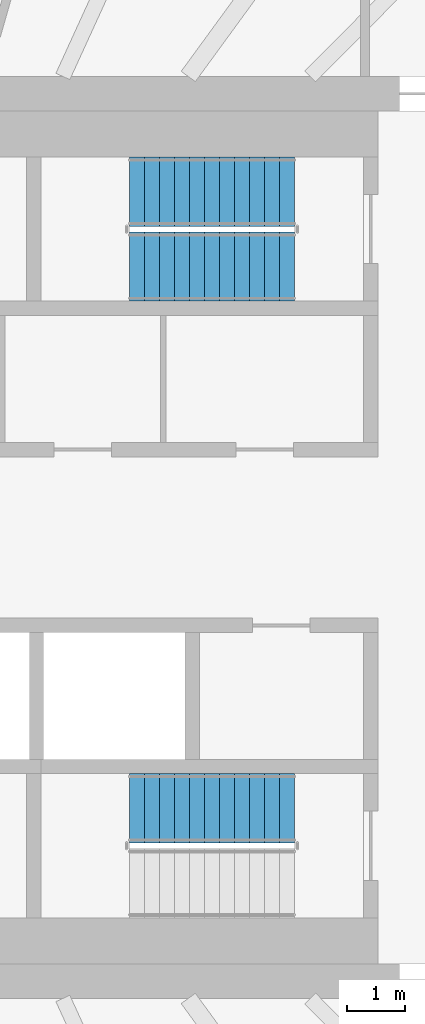
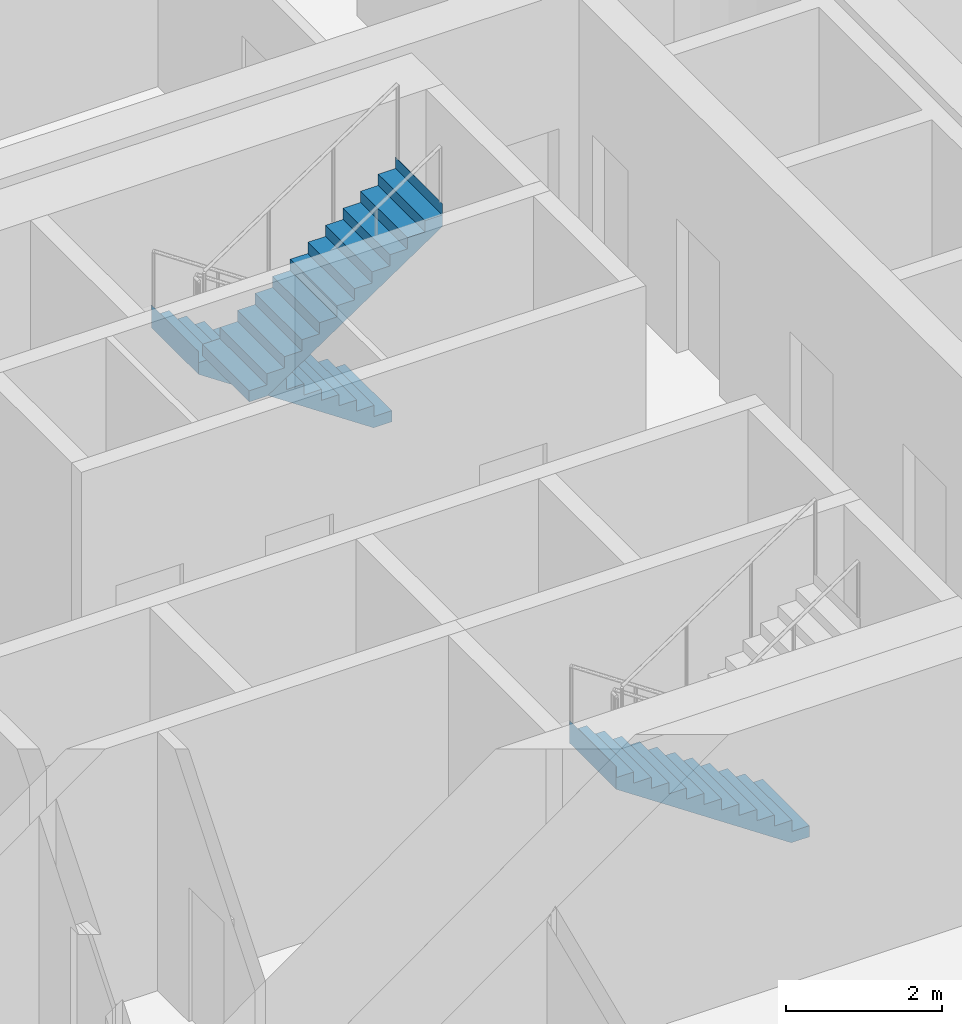
# One storey, part 16 of 22: 3 stair flights, 2 elements without a shape of their own.
"""IFC4 building model written with IfcOpenShell, lengths in metres."""

from ifc_helpers import new_model, si_unit, direction, frame, origin, place, context, subcontext, project, spatial, triangles, material, type_object, element, aggregate, save


model = new_model("IFC4")

# Units and contexts
model_context = context("Model", 3, precision=1e-05, world=origin(), true_north=direction((0.0, 1.0)))
body_context = subcontext(model_context, "Body", "Model", "MODEL_VIEW")
ifc_project = project(units=[si_unit("LENGTHUNIT", "METRE"), si_unit("AREAUNIT", "SQUARE_METRE"), si_unit("VOLUMEUNIT", "CUBIC_METRE"), si_unit("PLANEANGLEUNIT", "RADIAN"), si_unit("MASSUNIT", "GRAM", prefix="KILO")], contexts=[model_context])

# Site, building, storey
site_placement = place(None, origin())
site = spatial("IfcSite", under=ifc_project, at=site_placement, CompositionType="ELEMENT")
building_placement = place(site_placement, origin())
building = spatial("IfcBuilding", under=site, at=building_placement, Name="Sahrelin Media Tower", CompositionType="ELEMENT")
storey_placement = place(building_placement, frame((0.0, 0.0, 50.39990234375)))
storey = spatial("IfcBuildingStorey", under=building, at=storey_placement, Name="L07", CompositionType="ELEMENT", Elevation=50.39990234375)

# Stair, stair flights
ifc_material = material(Name="Concrete C40/50", Category="concrete")
stair_type = type_object("IfcStairType", Name="Exit stair 1200", PredefinedType="HALF_TURN_STAIR", material=ifc_material)
placement = place(storey_placement, origin())
stair_1 = element("IfcStair", 1, at=placement, inside=storey, type_object=stair_type, Name="L07 Exit stair ST3", PredefinedType="HALF_TURN_STAIR")
stair_flight_type = type_object("IfcStairFlightType", Name="Stair flight 1200", PredefinedType="STRAIGHT", material=ifc_material)
stair_flight_1_placement = place(storey_placement, frame((7.675048828125, 6.0, 0.0), z_axis=(0.0, 0.0, 1.0), x_axis=(-1.0, 0.0, 0.0)))
stair_flight_1 = element("IfcStairFlight", 2, at=stair_flight_1_placement, type_object=stair_flight_type, Name="ST3 flight 1", NumberOfRisers=12, NumberOfTreads=11, PredefinedType="STRAIGHT", RiserHeight=0.175, TreadLength=0.26, context=body_context, shape_type="Tessellation", body=[
    triangles([(0.2685546875, 0.60009765625, 0.0), (0.2685546875, 0.300048828125, 0.0), (0.2685546875, 0.0, 0.0), (0.2685546875, -0.300048828125, 0.0), (0.2685546875, -0.60009765625, 0.0), (2.860107421875, 0.60009765625, 1.744384765625), (2.860107421875, 0.300048828125, 1.744384765625), (2.860107421875, 0.0, 1.744384765625), (2.860107421875, -0.300048828125, 1.744384765625), (2.860107421875, -0.60009765625, 1.744384765625), (2.860107421875, 0.60009765625, 2.10009765625), (2.860107421875, 0.300048828125, 2.10009765625), (2.860107421875, 0.0, 2.10009765625), (2.860107421875, -0.300048828125, 2.10009765625), (2.860107421875, -0.60009765625, 2.10009765625), (2.85791015625, 0.60009765625, 2.10009765625), (2.85791015625, 0.300048828125, 2.10009765625), (2.85791015625, 0.0, 2.10009765625), (2.85791015625, -0.300048828125, 2.10009765625), (2.85791015625, -0.60009765625, 2.10009765625), (2.85791015625, 0.60009765625, 1.925048828125), (2.85791015625, 0.300048828125, 1.925048828125), (2.85791015625, 0.0, 1.925048828125), (2.85791015625, -0.300048828125, 1.925048828125), (2.85791015625, -0.60009765625, 1.925048828125), (2.60009765625, 0.60009765625, 1.925048828125), (2.60009765625, 0.300048828125, 1.925048828125), (2.60009765625, 0.0, 1.925048828125), (2.60009765625, -0.300048828125, 1.925048828125), (2.60009765625, -0.60009765625, 1.925048828125), (2.60009765625, 0.60009765625, 1.75), (2.60009765625, 0.300048828125, 1.75), (2.60009765625, 0.0, 1.75), (2.60009765625, -0.300048828125, 1.75), (2.60009765625, -0.60009765625, 1.75), (2.340087890625, 0.60009765625, 1.75), (2.340087890625, 0.300048828125, 1.75), (2.340087890625, 0.0, 1.75), (2.340087890625, -0.300048828125, 1.75), (2.340087890625, -0.60009765625, 1.75), (2.340087890625, 0.60009765625, 1.574951171875), (2.340087890625, 0.300048828125, 1.574951171875), (2.340087890625, 0.0, 1.574951171875), (2.340087890625, -0.300048828125, 1.574951171875), (2.340087890625, -0.60009765625, 1.574951171875), (2.080078125, 0.60009765625, 1.574951171875), (2.080078125, 0.300048828125, 1.574951171875), (2.080078125, 0.0, 1.574951171875), (2.080078125, -0.300048828125, 1.574951171875), (2.080078125, -0.60009765625, 1.574951171875), (2.080078125, 0.60009765625, 1.39990234375), (2.080078125, 0.300048828125, 1.39990234375), (2.080078125, 0.0, 1.39990234375), (2.080078125, -0.300048828125, 1.39990234375), (2.080078125, -0.60009765625, 1.39990234375), (1.820068359375, 0.60009765625, 1.39990234375), (1.820068359375, 0.300048828125, 1.39990234375), (1.820068359375, 0.0, 1.39990234375), (1.820068359375, -0.300048828125, 1.39990234375), (1.820068359375, -0.60009765625, 1.39990234375), (1.820068359375, 0.60009765625, 1.22509765625), (1.820068359375, 0.300048828125, 1.22509765625), (1.820068359375, 0.0, 1.22509765625), (1.820068359375, -0.300048828125, 1.22509765625), (1.820068359375, -0.60009765625, 1.22509765625), (1.56005859375, 0.60009765625, 1.22509765625), (1.56005859375, 0.300048828125, 1.22509765625), (1.56005859375, 0.0, 1.22509765625), (1.56005859375, -0.300048828125, 1.22509765625), (1.56005859375, -0.60009765625, 1.22509765625), (1.56005859375, 0.60009765625, 1.050048828125), (1.56005859375, 0.300048828125, 1.050048828125), (1.56005859375, 0.0, 1.050048828125), (1.56005859375, -0.300048828125, 1.050048828125), (1.56005859375, -0.60009765625, 1.050048828125), (1.300048828125, 0.60009765625, 1.050048828125), (1.300048828125, 0.300048828125, 1.050048828125), (1.300048828125, 0.0, 1.050048828125), (1.300048828125, -0.300048828125, 1.050048828125), (1.300048828125, -0.60009765625, 1.050048828125), (1.300048828125, 0.60009765625, 0.875), (1.300048828125, 0.300048828125, 0.875), (1.300048828125, 0.0, 0.875), (1.300048828125, -0.300048828125, 0.875), (1.300048828125, -0.60009765625, 0.875), (1.0400390625, 0.60009765625, 0.875), (1.0400390625, 0.300048828125, 0.875), (1.0400390625, 0.0, 0.875), (1.0400390625, -0.300048828125, 0.875), (1.0400390625, -0.60009765625, 0.875), (1.0400390625, 0.60009765625, 0.699951171875), (1.0400390625, 0.300048828125, 0.699951171875), (1.0400390625, 0.0, 0.699951171875), (1.0400390625, -0.300048828125, 0.699951171875), (1.0400390625, -0.60009765625, 0.699951171875), (0.780029296875, 0.60009765625, 0.699951171875), (0.780029296875, 0.300048828125, 0.699951171875), (0.780029296875, 0.0, 0.699951171875), (0.780029296875, -0.300048828125, 0.699951171875), (0.780029296875, -0.60009765625, 0.699951171875), (0.780029296875, 0.60009765625, 0.52490234375), (0.780029296875, 0.300048828125, 0.52490234375), (0.780029296875, 0.0, 0.52490234375), (0.780029296875, -0.300048828125, 0.52490234375), (0.780029296875, -0.60009765625, 0.52490234375), (0.52001953125, 0.60009765625, 0.52490234375), (0.52001953125, 0.300048828125, 0.52490234375), (0.52001953125, 0.0, 0.52490234375), (0.52001953125, -0.300048828125, 0.52490234375), (0.52001953125, -0.60009765625, 0.52490234375), (0.52001953125, 0.60009765625, 0.35009765625), (0.52001953125, 0.300048828125, 0.35009765625), (0.52001953125, 0.0, 0.35009765625), (0.52001953125, -0.300048828125, 0.35009765625), (0.52001953125, -0.60009765625, 0.35009765625), (0.260009765625, 0.60009765625, 0.35009765625), (0.260009765625, 0.300048828125, 0.35009765625), (0.260009765625, 0.0, 0.35009765625), (0.260009765625, -0.300048828125, 0.35009765625), (0.260009765625, -0.60009765625, 0.35009765625), (0.260009765625, 0.60009765625, 0.175048828125), (0.260009765625, 0.300048828125, 0.175048828125), (0.260009765625, 0.0, 0.175048828125), (0.260009765625, -0.300048828125, 0.175048828125), (0.260009765625, -0.60009765625, 0.175048828125), (0.0, 0.60009765625, 0.175048828125), (0.0, 0.300048828125, 0.175048828125), (0.0, 0.0, 0.175048828125), (0.0, -0.300048828125, 0.175048828125), (0.0, -0.60009765625, 0.175048828125), (0.0, 0.60009765625, 0.0), (0.0, 0.300048828125, 0.0), (0.0, 0.0, 0.0), (0.0, -0.300048828125, 0.0), (0.0, -0.60009765625, 0.0)], [[1, 6, 7], [1, 7, 2], [2, 7, 8], [2, 8, 3], [3, 8, 9], [3, 9, 4], [4, 9, 10], [4, 10, 5], [6, 11, 12], [6, 12, 7], [7, 12, 13], [7, 13, 8], [8, 13, 14], [8, 14, 9], [9, 14, 15], [9, 15, 10], [11, 16, 17], [11, 17, 12], [12, 17, 18], [12, 18, 13], [13, 18, 19], [13, 19, 14], [14, 19, 20], [14, 20, 15], [16, 21, 22], [16, 22, 17], [17, 22, 23], [17, 23, 18], [18, 23, 24], [18, 24, 19], [19, 24, 25], [19, 25, 20], [21, 26, 27], [21, 27, 22], [22, 27, 28], [22, 28, 23], [23, 28, 29], [23, 29, 24], [24, 29, 30], [24, 30, 25], [26, 31, 32], [26, 32, 27], [27, 32, 33], [27, 33, 28], [28, 33, 34], [28, 34, 29], [29, 34, 35], [29, 35, 30], [31, 36, 37], [31, 37, 32], [32, 37, 38], [32, 38, 33], [33, 38, 39], [33, 39, 34], [34, 39, 40], [34, 40, 35], [36, 41, 42], [36, 42, 37], [37, 42, 43], [37, 43, 38], [38, 43, 44], [38, 44, 39], [39, 44, 45], [39, 45, 40], [41, 46, 47], [41, 47, 42], [42, 47, 48], [42, 48, 43], [43, 48, 49], [43, 49, 44], [44, 49, 50], [44, 50, 45], [46, 51, 52], [46, 52, 47], [47, 52, 53], [47, 53, 48], [48, 53, 54], [48, 54, 49], [49, 54, 55], [49, 55, 50], [51, 56, 57], [51, 57, 52], [52, 57, 58], [52, 58, 53], [53, 58, 59], [53, 59, 54], [54, 59, 60], [54, 60, 55], [56, 61, 62], [56, 62, 57], [57, 62, 63], [57, 63, 58], [58, 63, 64], [58, 64, 59], [59, 64, 65], [59, 65, 60], [61, 66, 67], [61, 67, 62], [62, 67, 68], [62, 68, 63], [63, 68, 69], [63, 69, 64], [64, 69, 70], [64, 70, 65], [66, 71, 72], [66, 72, 67], [67, 72, 73], [67, 73, 68], [68, 73, 74], [68, 74, 69], [69, 74, 75], [69, 75, 70], [71, 76, 77], [71, 77, 72], [72, 77, 78], [72, 78, 73], [73, 78, 79], [73, 79, 74], [74, 79, 80], [74, 80, 75], [76, 81, 82], [76, 82, 77], [77, 82, 83], [77, 83, 78], [78, 83, 84], [78, 84, 79], [79, 84, 85], [79, 85, 80], [81, 86, 87], [81, 87, 82], [82, 87, 88], [82, 88, 83], [83, 88, 89], [83, 89, 84], [84, 89, 90], [84, 90, 85], [86, 91, 92], [86, 92, 87], [87, 92, 93], [87, 93, 88], [88, 93, 94], [88, 94, 89], [89, 94, 95], [89, 95, 90], [91, 96, 97], [91, 97, 92], [92, 97, 98], [92, 98, 93], [93, 98, 99], [93, 99, 94], [94, 99, 100], [94, 100, 95], [96, 101, 102], [96, 102, 97], [97, 102, 103], [97, 103, 98], [98, 103, 104], [98, 104, 99], [99, 104, 105], [99, 105, 100], [101, 106, 107], [101, 107, 102], [102, 107, 108], [102, 108, 103], [103, 108, 109], [103, 109, 104], [104, 109, 110], [104, 110, 105], [106, 111, 112], [106, 112, 107], [107, 112, 113], [107, 113, 108], [108, 113, 114], [108, 114, 109], [109, 114, 115], [109, 115, 110], [111, 116, 117], [111, 117, 112], [112, 117, 118], [112, 118, 113], [113, 118, 119], [113, 119, 114], [114, 119, 120], [114, 120, 115], [116, 121, 122], [116, 122, 117], [117, 122, 123], [117, 123, 118], [118, 123, 124], [118, 124, 119], [119, 124, 125], [119, 125, 120], [121, 126, 127], [121, 127, 122], [122, 127, 128], [122, 128, 123], [123, 128, 129], [123, 129, 124], [124, 129, 130], [124, 130, 125], [126, 131, 132], [126, 132, 127], [127, 132, 133], [127, 133, 128], [128, 133, 134], [128, 134, 129], [129, 134, 135], [129, 135, 130], [131, 1, 2], [131, 2, 132], [132, 2, 3], [132, 3, 133], [133, 3, 4], [133, 4, 134], [134, 4, 5], [134, 5, 135], [125, 130, 135], [121, 131, 126], [125, 115, 120], [121, 116, 111], [115, 105, 110], [111, 106, 101], [105, 95, 100], [101, 96, 91], [95, 85, 90], [91, 86, 81], [85, 75, 80], [81, 76, 71], [75, 65, 70], [71, 66, 61], [65, 55, 60], [61, 56, 51], [55, 45, 50], [51, 46, 41], [45, 35, 40], [41, 36, 31], [35, 25, 30], [31, 26, 21], [25, 15, 20], [21, 16, 11], [135, 5, 125], [131, 121, 1], [95, 105, 5], [91, 1, 101], [5, 10, 75], [1, 71, 6], [10, 35, 45], [6, 41, 31], [25, 10, 15], [21, 11, 6], [115, 125, 5], [111, 1, 121], [75, 85, 5], [71, 1, 81], [35, 10, 25], [31, 21, 6], [105, 115, 5], [101, 1, 111], [45, 55, 10], [41, 6, 51], [85, 95, 5], [81, 1, 91], [65, 10, 55], [61, 51, 6], [10, 65, 75], [6, 71, 61]], closed=True),
])
stair_flight_2_placement = place(storey_placement, frame((4.81494140625, 4.699951171875, 2.10009765625), z_axis=(0.0, 0.0, 1.0), x_axis=(1.0, 0.0, 0.0)))
stair_flight_2 = element("IfcStairFlight", 3, at=stair_flight_2_placement, type_object=stair_flight_type, Name="ST3 flight 2", NumberOfRisers=12, NumberOfTreads=11, PredefinedType="STRAIGHT", RiserHeight=0.175, TreadLength=0.26, context=body_context, shape_type="Tessellation", body=[
    triangles([(0.2685546875, 0.60009765625, 0.0), (0.2685546875, 0.300048828125, 0.0), (0.2685546875, 0.0, 0.0), (0.2685546875, -0.300048828125, 0.0), (0.2685546875, -0.60009765625, 0.0), (2.860107421875, 0.60009765625, 1.744384765625), (2.860107421875, 0.300048828125, 1.744384765625), (2.860107421875, 0.0, 1.744384765625), (2.860107421875, -0.300048828125, 1.744384765625), (2.860107421875, -0.60009765625, 1.744384765625), (2.860107421875, 0.60009765625, 2.10009765625), (2.860107421875, 0.300048828125, 2.10009765625), (2.860107421875, 0.0, 2.10009765625), (2.860107421875, -0.300048828125, 2.10009765625), (2.860107421875, -0.60009765625, 2.10009765625), (2.85791015625, 0.60009765625, 2.10009765625), (2.85791015625, 0.300048828125, 2.10009765625), (2.85791015625, 0.0, 2.10009765625), (2.85791015625, -0.300048828125, 2.10009765625), (2.85791015625, -0.60009765625, 2.10009765625), (2.85791015625, 0.60009765625, 1.925048828125), (2.85791015625, 0.300048828125, 1.925048828125), (2.85791015625, 0.0, 1.925048828125), (2.85791015625, -0.300048828125, 1.925048828125), (2.85791015625, -0.60009765625, 1.925048828125), (2.60009765625, 0.60009765625, 1.925048828125), (2.60009765625, 0.300048828125, 1.925048828125), (2.60009765625, 0.0, 1.925048828125), (2.60009765625, -0.300048828125, 1.925048828125), (2.60009765625, -0.60009765625, 1.925048828125), (2.60009765625, 0.60009765625, 1.75), (2.60009765625, 0.300048828125, 1.75), (2.60009765625, 0.0, 1.75), (2.60009765625, -0.300048828125, 1.75), (2.60009765625, -0.60009765625, 1.75), (2.340087890625, 0.60009765625, 1.75), (2.340087890625, 0.300048828125, 1.75), (2.340087890625, 0.0, 1.75), (2.340087890625, -0.300048828125, 1.75), (2.340087890625, -0.60009765625, 1.75), (2.340087890625, 0.60009765625, 1.574951171875), (2.340087890625, 0.300048828125, 1.574951171875), (2.340087890625, 0.0, 1.574951171875), (2.340087890625, -0.300048828125, 1.574951171875), (2.340087890625, -0.60009765625, 1.574951171875), (2.080078125, 0.60009765625, 1.574951171875), (2.080078125, 0.300048828125, 1.574951171875), (2.080078125, 0.0, 1.574951171875), (2.080078125, -0.300048828125, 1.574951171875), (2.080078125, -0.60009765625, 1.574951171875), (2.080078125, 0.60009765625, 1.39990234375), (2.080078125, 0.300048828125, 1.39990234375), (2.080078125, 0.0, 1.39990234375), (2.080078125, -0.300048828125, 1.39990234375), (2.080078125, -0.60009765625, 1.39990234375), (1.820068359375, 0.60009765625, 1.39990234375), (1.820068359375, 0.300048828125, 1.39990234375), (1.820068359375, 0.0, 1.39990234375), (1.820068359375, -0.300048828125, 1.39990234375), (1.820068359375, -0.60009765625, 1.39990234375), (1.820068359375, 0.60009765625, 1.22509765625), (1.820068359375, 0.300048828125, 1.22509765625), (1.820068359375, 0.0, 1.22509765625), (1.820068359375, -0.300048828125, 1.22509765625), (1.820068359375, -0.60009765625, 1.22509765625), (1.56005859375, 0.60009765625, 1.22509765625), (1.56005859375, 0.300048828125, 1.22509765625), (1.56005859375, 0.0, 1.22509765625), (1.56005859375, -0.300048828125, 1.22509765625), (1.56005859375, -0.60009765625, 1.22509765625), (1.56005859375, 0.60009765625, 1.050048828125), (1.56005859375, 0.300048828125, 1.050048828125), (1.56005859375, 0.0, 1.050048828125), (1.56005859375, -0.300048828125, 1.050048828125), (1.56005859375, -0.60009765625, 1.050048828125), (1.300048828125, 0.60009765625, 1.050048828125), (1.300048828125, 0.300048828125, 1.050048828125), (1.300048828125, 0.0, 1.050048828125), (1.300048828125, -0.300048828125, 1.050048828125), (1.300048828125, -0.60009765625, 1.050048828125), (1.300048828125, 0.60009765625, 0.875), (1.300048828125, 0.300048828125, 0.875), (1.300048828125, 0.0, 0.875), (1.300048828125, -0.300048828125, 0.875), (1.300048828125, -0.60009765625, 0.875), (1.0400390625, 0.60009765625, 0.875), (1.0400390625, 0.300048828125, 0.875), (1.0400390625, 0.0, 0.875), (1.0400390625, -0.300048828125, 0.875), (1.0400390625, -0.60009765625, 0.875), (1.0400390625, 0.60009765625, 0.699951171875), (1.0400390625, 0.300048828125, 0.699951171875), (1.0400390625, 0.0, 0.699951171875), (1.0400390625, -0.300048828125, 0.699951171875), (1.0400390625, -0.60009765625, 0.699951171875), (0.780029296875, 0.60009765625, 0.699951171875), (0.780029296875, 0.300048828125, 0.699951171875), (0.780029296875, 0.0, 0.699951171875), (0.780029296875, -0.300048828125, 0.699951171875), (0.780029296875, -0.60009765625, 0.699951171875), (0.780029296875, 0.60009765625, 0.52490234375), (0.780029296875, 0.300048828125, 0.52490234375), (0.780029296875, 0.0, 0.52490234375), (0.780029296875, -0.300048828125, 0.52490234375), (0.780029296875, -0.60009765625, 0.52490234375), (0.52001953125, 0.60009765625, 0.52490234375), (0.52001953125, 0.300048828125, 0.52490234375), (0.52001953125, 0.0, 0.52490234375), (0.52001953125, -0.300048828125, 0.52490234375), (0.52001953125, -0.60009765625, 0.52490234375), (0.52001953125, 0.60009765625, 0.35009765625), (0.52001953125, 0.300048828125, 0.35009765625), (0.52001953125, 0.0, 0.35009765625), (0.52001953125, -0.300048828125, 0.35009765625), (0.52001953125, -0.60009765625, 0.35009765625), (0.260009765625, 0.60009765625, 0.35009765625), (0.260009765625, 0.300048828125, 0.35009765625), (0.260009765625, 0.0, 0.35009765625), (0.260009765625, -0.300048828125, 0.35009765625), (0.260009765625, -0.60009765625, 0.35009765625), (0.260009765625, 0.60009765625, 0.175048828125), (0.260009765625, 0.300048828125, 0.175048828125), (0.260009765625, 0.0, 0.175048828125), (0.260009765625, -0.300048828125, 0.175048828125), (0.260009765625, -0.60009765625, 0.175048828125), (0.0, 0.60009765625, 0.175048828125), (0.0, 0.300048828125, 0.175048828125), (0.0, 0.0, 0.175048828125), (0.0, -0.300048828125, 0.175048828125), (0.0, -0.60009765625, 0.175048828125), (0.0, 0.60009765625, 0.0), (0.0, 0.300048828125, 0.0), (0.0, 0.0, 0.0), (0.0, -0.300048828125, 0.0), (0.0, -0.60009765625, 0.0)], [[1, 6, 7], [1, 7, 2], [2, 7, 8], [2, 8, 3], [3, 8, 9], [3, 9, 4], [4, 9, 10], [4, 10, 5], [6, 11, 12], [6, 12, 7], [7, 12, 13], [7, 13, 8], [8, 13, 14], [8, 14, 9], [9, 14, 15], [9, 15, 10], [11, 16, 17], [11, 17, 12], [12, 17, 18], [12, 18, 13], [13, 18, 19], [13, 19, 14], [14, 19, 20], [14, 20, 15], [16, 21, 22], [16, 22, 17], [17, 22, 23], [17, 23, 18], [18, 23, 24], [18, 24, 19], [19, 24, 25], [19, 25, 20], [21, 26, 27], [21, 27, 22], [22, 27, 28], [22, 28, 23], [23, 28, 29], [23, 29, 24], [24, 29, 30], [24, 30, 25], [26, 31, 32], [26, 32, 27], [27, 32, 33], [27, 33, 28], [28, 33, 34], [28, 34, 29], [29, 34, 35], [29, 35, 30], [31, 36, 37], [31, 37, 32], [32, 37, 38], [32, 38, 33], [33, 38, 39], [33, 39, 34], [34, 39, 40], [34, 40, 35], [36, 41, 42], [36, 42, 37], [37, 42, 43], [37, 43, 38], [38, 43, 44], [38, 44, 39], [39, 44, 45], [39, 45, 40], [41, 46, 47], [41, 47, 42], [42, 47, 48], [42, 48, 43], [43, 48, 49], [43, 49, 44], [44, 49, 50], [44, 50, 45], [46, 51, 52], [46, 52, 47], [47, 52, 53], [47, 53, 48], [48, 53, 54], [48, 54, 49], [49, 54, 55], [49, 55, 50], [51, 56, 57], [51, 57, 52], [52, 57, 58], [52, 58, 53], [53, 58, 59], [53, 59, 54], [54, 59, 60], [54, 60, 55], [56, 61, 62], [56, 62, 57], [57, 62, 63], [57, 63, 58], [58, 63, 64], [58, 64, 59], [59, 64, 65], [59, 65, 60], [61, 66, 67], [61, 67, 62], [62, 67, 68], [62, 68, 63], [63, 68, 69], [63, 69, 64], [64, 69, 70], [64, 70, 65], [66, 71, 72], [66, 72, 67], [67, 72, 73], [67, 73, 68], [68, 73, 74], [68, 74, 69], [69, 74, 75], [69, 75, 70], [71, 76, 77], [71, 77, 72], [72, 77, 78], [72, 78, 73], [73, 78, 79], [73, 79, 74], [74, 79, 80], [74, 80, 75], [76, 81, 82], [76, 82, 77], [77, 82, 83], [77, 83, 78], [78, 83, 84], [78, 84, 79], [79, 84, 85], [79, 85, 80], [81, 86, 87], [81, 87, 82], [82, 87, 88], [82, 88, 83], [83, 88, 89], [83, 89, 84], [84, 89, 90], [84, 90, 85], [86, 91, 92], [86, 92, 87], [87, 92, 93], [87, 93, 88], [88, 93, 94], [88, 94, 89], [89, 94, 95], [89, 95, 90], [91, 96, 97], [91, 97, 92], [92, 97, 98], [92, 98, 93], [93, 98, 99], [93, 99, 94], [94, 99, 100], [94, 100, 95], [96, 101, 102], [96, 102, 97], [97, 102, 103], [97, 103, 98], [98, 103, 104], [98, 104, 99], [99, 104, 105], [99, 105, 100], [101, 106, 107], [101, 107, 102], [102, 107, 108], [102, 108, 103], [103, 108, 109], [103, 109, 104], [104, 109, 110], [104, 110, 105], [106, 111, 112], [106, 112, 107], [107, 112, 113], [107, 113, 108], [108, 113, 114], [108, 114, 109], [109, 114, 115], [109, 115, 110], [111, 116, 117], [111, 117, 112], [112, 117, 118], [112, 118, 113], [113, 118, 119], [113, 119, 114], [114, 119, 120], [114, 120, 115], [116, 121, 122], [116, 122, 117], [117, 122, 123], [117, 123, 118], [118, 123, 124], [118, 124, 119], [119, 124, 125], [119, 125, 120], [121, 126, 127], [121, 127, 122], [122, 127, 128], [122, 128, 123], [123, 128, 129], [123, 129, 124], [124, 129, 130], [124, 130, 125], [126, 131, 132], [126, 132, 127], [127, 132, 133], [127, 133, 128], [128, 133, 134], [128, 134, 129], [129, 134, 135], [129, 135, 130], [131, 1, 2], [131, 2, 132], [132, 2, 3], [132, 3, 133], [133, 3, 4], [133, 4, 134], [134, 4, 5], [134, 5, 135], [125, 130, 135], [121, 131, 126], [125, 115, 120], [121, 116, 111], [115, 105, 110], [111, 106, 101], [105, 95, 100], [101, 96, 91], [95, 85, 90], [91, 86, 81], [85, 75, 80], [81, 76, 71], [75, 65, 70], [71, 66, 61], [65, 55, 60], [61, 56, 51], [55, 45, 50], [51, 46, 41], [45, 35, 40], [41, 36, 31], [35, 25, 30], [31, 26, 21], [25, 15, 20], [21, 16, 11], [135, 5, 125], [131, 121, 1], [95, 105, 5], [91, 1, 101], [5, 10, 75], [1, 71, 6], [10, 35, 45], [6, 41, 31], [25, 10, 15], [21, 11, 6], [115, 125, 5], [111, 1, 121], [75, 85, 5], [71, 1, 81], [35, 10, 25], [31, 21, 6], [105, 115, 5], [101, 1, 111], [45, 55, 10], [41, 6, 51], [85, 95, 5], [81, 1, 91], [65, 10, 55], [61, 51, 6], [10, 65, 75], [6, 71, 61]], closed=True),
])
aggregate(stair_1, [stair_flight_1, stair_flight_2])

# Stair, stair flight
stair_2 = element("IfcStair", 4, at=placement, inside=storey, type_object=stair_type, Name="L07 Exit stair ST2", PredefinedType="HALF_TURN_STAIR")
stair_flight_3_placement = place(storey_placement, frame((7.675048828125, -4.699951171875, 0.0), z_axis=(0.0, 0.0, 1.0), x_axis=(-1.0, 0.0, 0.0)))
stair_flight_3 = element("IfcStairFlight", 5, at=stair_flight_3_placement, type_object=stair_flight_type, Name="ST2 flight 1", NumberOfRisers=12, NumberOfTreads=11, PredefinedType="STRAIGHT", RiserHeight=0.175, TreadLength=0.26, context=body_context, shape_type="Tessellation", body=[
    triangles([(0.2685546875, 0.60009765625, 0.0), (0.2685546875, 0.300048828125, 0.0), (0.2685546875, 0.0, 0.0), (0.2685546875, -0.300048828125, 0.0), (0.2685546875, -0.60009765625, 0.0), (2.860107421875, 0.60009765625, 1.744384765625), (2.860107421875, 0.300048828125, 1.744384765625), (2.860107421875, 0.0, 1.744384765625), (2.860107421875, -0.300048828125, 1.744384765625), (2.860107421875, -0.60009765625, 1.744384765625), (2.860107421875, 0.60009765625, 2.10009765625), (2.860107421875, 0.300048828125, 2.10009765625), (2.860107421875, 0.0, 2.10009765625), (2.860107421875, -0.300048828125, 2.10009765625), (2.860107421875, -0.60009765625, 2.10009765625), (2.85791015625, 0.60009765625, 2.10009765625), (2.85791015625, 0.300048828125, 2.10009765625), (2.85791015625, 0.0, 2.10009765625), (2.85791015625, -0.300048828125, 2.10009765625), (2.85791015625, -0.60009765625, 2.10009765625), (2.85791015625, 0.60009765625, 1.925048828125), (2.85791015625, 0.300048828125, 1.925048828125), (2.85791015625, 0.0, 1.925048828125), (2.85791015625, -0.300048828125, 1.925048828125), (2.85791015625, -0.60009765625, 1.925048828125), (2.60009765625, 0.60009765625, 1.925048828125), (2.60009765625, 0.300048828125, 1.925048828125), (2.60009765625, 0.0, 1.925048828125), (2.60009765625, -0.300048828125, 1.925048828125), (2.60009765625, -0.60009765625, 1.925048828125), (2.60009765625, 0.60009765625, 1.75), (2.60009765625, 0.300048828125, 1.75), (2.60009765625, 0.0, 1.75), (2.60009765625, -0.300048828125, 1.75), (2.60009765625, -0.60009765625, 1.75), (2.340087890625, 0.60009765625, 1.75), (2.340087890625, 0.300048828125, 1.75), (2.340087890625, 0.0, 1.75), (2.340087890625, -0.300048828125, 1.75), (2.340087890625, -0.60009765625, 1.75), (2.340087890625, 0.60009765625, 1.574951171875), (2.340087890625, 0.300048828125, 1.574951171875), (2.340087890625, 0.0, 1.574951171875), (2.340087890625, -0.300048828125, 1.574951171875), (2.340087890625, -0.60009765625, 1.574951171875), (2.080078125, 0.60009765625, 1.574951171875), (2.080078125, 0.300048828125, 1.574951171875), (2.080078125, 0.0, 1.574951171875), (2.080078125, -0.300048828125, 1.574951171875), (2.080078125, -0.60009765625, 1.574951171875), (2.080078125, 0.60009765625, 1.39990234375), (2.080078125, 0.300048828125, 1.39990234375), (2.080078125, 0.0, 1.39990234375), (2.080078125, -0.300048828125, 1.39990234375), (2.080078125, -0.60009765625, 1.39990234375), (1.820068359375, 0.60009765625, 1.39990234375), (1.820068359375, 0.300048828125, 1.39990234375), (1.820068359375, 0.0, 1.39990234375), (1.820068359375, -0.300048828125, 1.39990234375), (1.820068359375, -0.60009765625, 1.39990234375), (1.820068359375, 0.60009765625, 1.22509765625), (1.820068359375, 0.300048828125, 1.22509765625), (1.820068359375, 0.0, 1.22509765625), (1.820068359375, -0.300048828125, 1.22509765625), (1.820068359375, -0.60009765625, 1.22509765625), (1.56005859375, 0.60009765625, 1.22509765625), (1.56005859375, 0.300048828125, 1.22509765625), (1.56005859375, 0.0, 1.22509765625), (1.56005859375, -0.300048828125, 1.22509765625), (1.56005859375, -0.60009765625, 1.22509765625), (1.56005859375, 0.60009765625, 1.050048828125), (1.56005859375, 0.300048828125, 1.050048828125), (1.56005859375, 0.0, 1.050048828125), (1.56005859375, -0.300048828125, 1.050048828125), (1.56005859375, -0.60009765625, 1.050048828125), (1.300048828125, 0.60009765625, 1.050048828125), (1.300048828125, 0.300048828125, 1.050048828125), (1.300048828125, 0.0, 1.050048828125), (1.300048828125, -0.300048828125, 1.050048828125), (1.300048828125, -0.60009765625, 1.050048828125), (1.300048828125, 0.60009765625, 0.875), (1.300048828125, 0.300048828125, 0.875), (1.300048828125, 0.0, 0.875), (1.300048828125, -0.300048828125, 0.875), (1.300048828125, -0.60009765625, 0.875), (1.0400390625, 0.60009765625, 0.875), (1.0400390625, 0.300048828125, 0.875), (1.0400390625, 0.0, 0.875), (1.0400390625, -0.300048828125, 0.875), (1.0400390625, -0.60009765625, 0.875), (1.0400390625, 0.60009765625, 0.699951171875), (1.0400390625, 0.300048828125, 0.699951171875), (1.0400390625, 0.0, 0.699951171875), (1.0400390625, -0.300048828125, 0.699951171875), (1.0400390625, -0.60009765625, 0.699951171875), (0.780029296875, 0.60009765625, 0.699951171875), (0.780029296875, 0.300048828125, 0.699951171875), (0.780029296875, 0.0, 0.699951171875), (0.780029296875, -0.300048828125, 0.699951171875), (0.780029296875, -0.60009765625, 0.699951171875), (0.780029296875, 0.60009765625, 0.52490234375), (0.780029296875, 0.300048828125, 0.52490234375), (0.780029296875, 0.0, 0.52490234375), (0.780029296875, -0.300048828125, 0.52490234375), (0.780029296875, -0.60009765625, 0.52490234375), (0.52001953125, 0.60009765625, 0.52490234375), (0.52001953125, 0.300048828125, 0.52490234375), (0.52001953125, 0.0, 0.52490234375), (0.52001953125, -0.300048828125, 0.52490234375), (0.52001953125, -0.60009765625, 0.52490234375), (0.52001953125, 0.60009765625, 0.35009765625), (0.52001953125, 0.300048828125, 0.35009765625), (0.52001953125, 0.0, 0.35009765625), (0.52001953125, -0.300048828125, 0.35009765625), (0.52001953125, -0.60009765625, 0.35009765625), (0.260009765625, 0.60009765625, 0.35009765625), (0.260009765625, 0.300048828125, 0.35009765625), (0.260009765625, 0.0, 0.35009765625), (0.260009765625, -0.300048828125, 0.35009765625), (0.260009765625, -0.60009765625, 0.35009765625), (0.260009765625, 0.60009765625, 0.175048828125), (0.260009765625, 0.300048828125, 0.175048828125), (0.260009765625, 0.0, 0.175048828125), (0.260009765625, -0.300048828125, 0.175048828125), (0.260009765625, -0.60009765625, 0.175048828125), (0.0, 0.60009765625, 0.175048828125), (0.0, 0.300048828125, 0.175048828125), (0.0, 0.0, 0.175048828125), (0.0, -0.300048828125, 0.175048828125), (0.0, -0.60009765625, 0.175048828125), (0.0, 0.60009765625, 0.0), (0.0, 0.300048828125, 0.0), (0.0, 0.0, 0.0), (0.0, -0.300048828125, 0.0), (0.0, -0.60009765625, 0.0)], [[1, 6, 7], [1, 7, 2], [2, 7, 8], [2, 8, 3], [3, 8, 9], [3, 9, 4], [4, 9, 10], [4, 10, 5], [6, 11, 12], [6, 12, 7], [7, 12, 13], [7, 13, 8], [8, 13, 14], [8, 14, 9], [9, 14, 15], [9, 15, 10], [11, 16, 17], [11, 17, 12], [12, 17, 18], [12, 18, 13], [13, 18, 19], [13, 19, 14], [14, 19, 20], [14, 20, 15], [16, 21, 22], [16, 22, 17], [17, 22, 23], [17, 23, 18], [18, 23, 24], [18, 24, 19], [19, 24, 25], [19, 25, 20], [21, 26, 27], [21, 27, 22], [22, 27, 28], [22, 28, 23], [23, 28, 29], [23, 29, 24], [24, 29, 30], [24, 30, 25], [26, 31, 32], [26, 32, 27], [27, 32, 33], [27, 33, 28], [28, 33, 34], [28, 34, 29], [29, 34, 35], [29, 35, 30], [31, 36, 37], [31, 37, 32], [32, 37, 38], [32, 38, 33], [33, 38, 39], [33, 39, 34], [34, 39, 40], [34, 40, 35], [36, 41, 42], [36, 42, 37], [37, 42, 43], [37, 43, 38], [38, 43, 44], [38, 44, 39], [39, 44, 45], [39, 45, 40], [41, 46, 47], [41, 47, 42], [42, 47, 48], [42, 48, 43], [43, 48, 49], [43, 49, 44], [44, 49, 50], [44, 50, 45], [46, 51, 52], [46, 52, 47], [47, 52, 53], [47, 53, 48], [48, 53, 54], [48, 54, 49], [49, 54, 55], [49, 55, 50], [51, 56, 57], [51, 57, 52], [52, 57, 58], [52, 58, 53], [53, 58, 59], [53, 59, 54], [54, 59, 60], [54, 60, 55], [56, 61, 62], [56, 62, 57], [57, 62, 63], [57, 63, 58], [58, 63, 64], [58, 64, 59], [59, 64, 65], [59, 65, 60], [61, 66, 67], [61, 67, 62], [62, 67, 68], [62, 68, 63], [63, 68, 69], [63, 69, 64], [64, 69, 70], [64, 70, 65], [66, 71, 72], [66, 72, 67], [67, 72, 73], [67, 73, 68], [68, 73, 74], [68, 74, 69], [69, 74, 75], [69, 75, 70], [71, 76, 77], [71, 77, 72], [72, 77, 78], [72, 78, 73], [73, 78, 79], [73, 79, 74], [74, 79, 80], [74, 80, 75], [76, 81, 82], [76, 82, 77], [77, 82, 83], [77, 83, 78], [78, 83, 84], [78, 84, 79], [79, 84, 85], [79, 85, 80], [81, 86, 87], [81, 87, 82], [82, 87, 88], [82, 88, 83], [83, 88, 89], [83, 89, 84], [84, 89, 90], [84, 90, 85], [86, 91, 92], [86, 92, 87], [87, 92, 93], [87, 93, 88], [88, 93, 94], [88, 94, 89], [89, 94, 95], [89, 95, 90], [91, 96, 97], [91, 97, 92], [92, 97, 98], [92, 98, 93], [93, 98, 99], [93, 99, 94], [94, 99, 100], [94, 100, 95], [96, 101, 102], [96, 102, 97], [97, 102, 103], [97, 103, 98], [98, 103, 104], [98, 104, 99], [99, 104, 105], [99, 105, 100], [101, 106, 107], [101, 107, 102], [102, 107, 108], [102, 108, 103], [103, 108, 109], [103, 109, 104], [104, 109, 110], [104, 110, 105], [106, 111, 112], [106, 112, 107], [107, 112, 113], [107, 113, 108], [108, 113, 114], [108, 114, 109], [109, 114, 115], [109, 115, 110], [111, 116, 117], [111, 117, 112], [112, 117, 118], [112, 118, 113], [113, 118, 119], [113, 119, 114], [114, 119, 120], [114, 120, 115], [116, 121, 122], [116, 122, 117], [117, 122, 123], [117, 123, 118], [118, 123, 124], [118, 124, 119], [119, 124, 125], [119, 125, 120], [121, 126, 127], [121, 127, 122], [122, 127, 128], [122, 128, 123], [123, 128, 129], [123, 129, 124], [124, 129, 130], [124, 130, 125], [126, 131, 132], [126, 132, 127], [127, 132, 133], [127, 133, 128], [128, 133, 134], [128, 134, 129], [129, 134, 135], [129, 135, 130], [131, 1, 2], [131, 2, 132], [132, 2, 3], [132, 3, 133], [133, 3, 4], [133, 4, 134], [134, 4, 5], [134, 5, 135], [125, 130, 135], [121, 131, 126], [125, 115, 120], [121, 116, 111], [115, 105, 110], [111, 106, 101], [105, 95, 100], [101, 96, 91], [95, 85, 90], [91, 86, 81], [85, 75, 80], [81, 76, 71], [75, 65, 70], [71, 66, 61], [65, 55, 60], [61, 56, 51], [55, 45, 50], [51, 46, 41], [45, 35, 40], [41, 36, 31], [35, 25, 30], [31, 26, 21], [25, 15, 20], [21, 16, 11], [135, 5, 125], [131, 121, 1], [95, 105, 5], [91, 1, 101], [5, 10, 75], [1, 71, 6], [10, 35, 45], [6, 41, 31], [25, 10, 15], [21, 11, 6], [115, 125, 5], [111, 1, 121], [75, 85, 5], [71, 1, 81], [35, 10, 25], [31, 21, 6], [105, 115, 5], [101, 1, 111], [45, 55, 10], [41, 6, 51], [85, 95, 5], [81, 1, 91], [65, 10, 55], [61, 51, 6], [10, 65, 75], [6, 71, 61]], closed=True),
])
aggregate(stair_2, [stair_flight_3])

save(model, "model.ifc")
